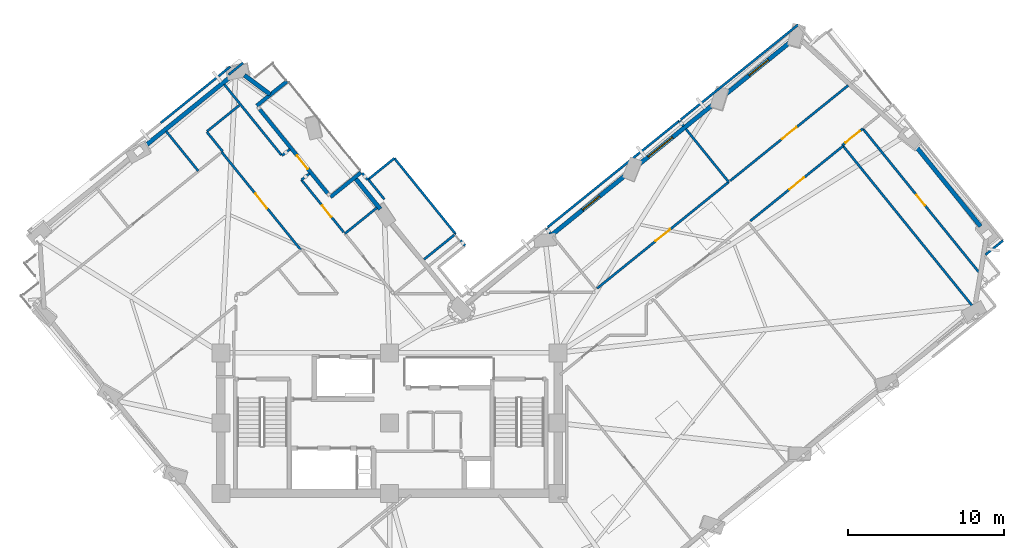
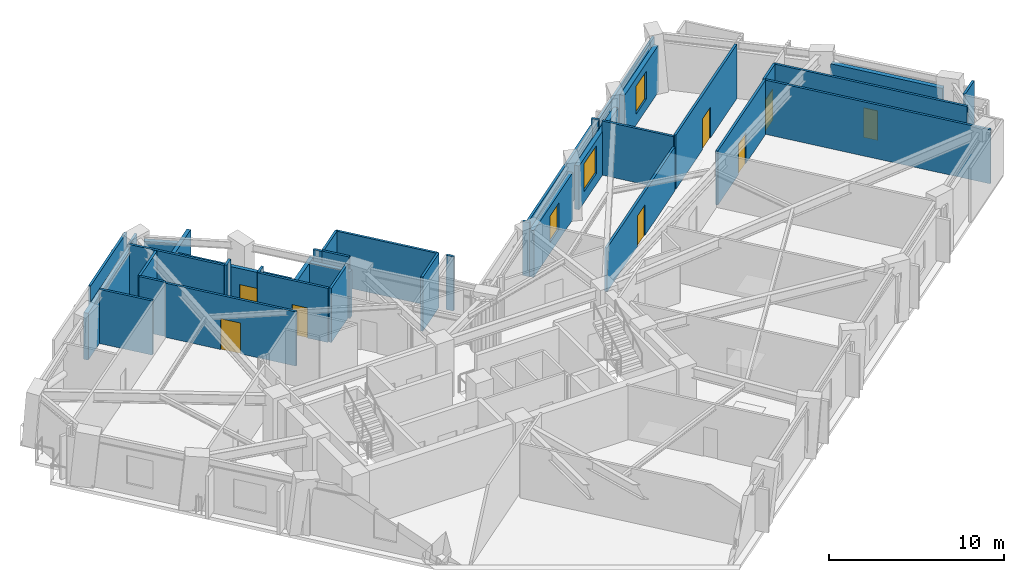
# One storey, part 8 of 14: 39 walls, 8 doors, 3 windows, 11 openings.
"""IFC4 building model written with IfcOpenShell, lengths in metres."""

from ifc_helpers import new_model, si_unit, direction, frame, frame_2d, origin, place, context, subcontext, project, spatial, rectangle, extrude, material, layer, layer_set, type_object, element, fill, save


model = new_model("IFC4")

# Units and contexts
model_context = context("Model", 3, precision=1e-05, world=origin(), true_north=direction((0.0, 1.0)))
body_context = subcontext(model_context, "Body", "Model", "MODEL_VIEW")
ifc_project = project(units=[si_unit("LENGTHUNIT", "METRE"), si_unit("AREAUNIT", "SQUARE_METRE"), si_unit("VOLUMEUNIT", "CUBIC_METRE"), si_unit("PLANEANGLEUNIT", "RADIAN"), si_unit("MASSUNIT", "GRAM", prefix="KILO")], contexts=[model_context])

# Site, building, storey
site_placement = place(None, origin())
site = spatial("IfcSite", under=ifc_project, at=site_placement, CompositionType="ELEMENT")
building_placement = place(site_placement, origin())
building = spatial("IfcBuilding", under=site, at=building_placement, Name="Gaonmaruhae Medical Tower", CompositionType="ELEMENT")
storey_placement = place(building_placement, frame((0.0, 0.0, 189.800048828125)))
storey = spatial("IfcBuildingStorey", under=building, at=storey_placement, Name="L45", CompositionType="ELEMENT", Elevation=189.800048828125)

# Wall, opening, door
ifc_material_1 = material(Name="Precast concrete C45/55", Category="concrete")
ifc_layer_1 = layer(ifc_material_1, 0.239990234375)
ifc_layer_set_1 = layer_set([ifc_layer_1], Name="Precast concrete C45/55")
wall_type_1 = type_object("IfcWallType", Name="EW-240 Ribbon & Shelter Insulated Precast Wall", PredefinedType="SOLIDWALL", material=ifc_layer_set_1)
wall_1_placement = place(storey_placement, frame((16.47265625, 32.4033203125, 0.0), z_axis=(0.0, 0.0, 1.0), x_axis=(0.628648132711, -0.777689864431, 0.0)))
wall_1 = element("IfcWall", 1, at=wall_1_placement, inside=storey, type_object=wall_type_1, Name="L45 Recessed Terrace Enclosure Wall TERB", PredefinedType="SOLIDWALL", context=body_context, shape_type="SweptSolid", body=[
    extrude(rectangle(XDim=6.960205078125, YDim=0.239990234375, at=frame_2d((3.47998046875, 0.0))), origin(), (0.0, 0.0, 1.0), 3.264892578125),
])
opening_1_placement = place(wall_1_placement, frame((3.819580078125, 0.0, 0.0)))
opening_1 = element("IfcOpeningElement", 2, at=opening_1_placement, cuts=wall_1, Name="Opening TD-01", PredefinedType="OPENING", context=body_context, shape_type="SweptSolid", body=[
    extrude(rectangle(XDim=1.10009765625, YDim=2.14990234375, at=frame_2d((0.550048828125, 1.074951171875))), frame((0.0, 0.1298828125, 0.0), z_axis=(0.0, -1.0, 0.0), x_axis=(1.0, 0.0, 0.0)), (0.0, 0.0, 1.0), 0.260009765625),
])
ifc_material_2 = material(Name="Anodised aluminium and toughened safety glass", Category="aluminium")
door_type_1 = type_object("IfcDoorType", Name="TD-01 Terrace & Sky Garden Glazed Door 1100x2150", OperationType="NOTDEFINED", PredefinedType="DOOR", material=ifc_material_2)
door_1_placement = place(opening_1_placement, origin())
door_1 = element("IfcDoor", 3, at=door_1_placement, inside=storey, type_object=door_type_1, Name="L45 Outdoor Terrace Access Door SLB-L45-TER", OperationType="SINGLE_SWING_LEFT", OverallHeight=2.14990234375, OverallWidth=1.10009765625, PredefinedType="DOOR", context=body_context, shape_type="SweptSolid", body=[
    extrude(rectangle(XDim=1.10009765625, YDim=2.14990234375, at=frame_2d((0.550048828125, 1.074951171875))), frame((0.0, 0.02490234375, 0.0), z_axis=(0.0, -1.0, 0.0), x_axis=(1.0, 0.0, 0.0)), (0.0, 0.0, 1.0), 0.050048828125),
])
fill(opening_1, door_1)

# Walls
for number, where, z_axis, x_axis, name in (
    (4, (21.024169921875, 26.772705078125, 0.0), (0.0, 0.0, 1.0), (0.777638153774, 0.628712097701, 0.0), "L45 Recessed Terrace Enclosure Wall TERL"),
    (5, (18.240966796875, 34.192626953125, 0.0), (0.0, 0.0, 1.0), (-0.777724491965, -0.628605293167, 0.0), "L45 Recessed Terrace Enclosure Wall TERR"),
):
    element("IfcWall", number, at=place(storey_placement, frame(where, z_axis=z_axis, x_axis=x_axis)), inside=storey, type_object=wall_type_1, Name=name, PredefinedType="SOLIDWALL", context=body_context, shape_type="SweptSolid", body=[
        extrude(rectangle(XDim=2.5, YDim=0.239990234375, at=frame_2d((1.25, 0.0))), origin(), (0.0, 0.0, 1.0), 3.264892578125),
    ])
ifc_layer_2 = layer(ifc_material_1, 0.280029296875)
ifc_layer_set_2 = layer_set([ifc_layer_2], Name="Precast concrete C45/55")
wall_type_2 = type_object("IfcWallType", Name="EW-280 Upper Precast Masonry-Frame Facade Wall", PredefinedType="SOLIDWALL", material=ifc_layer_set_2)
wall_2_placement = place(storey_placement, frame((58.349609375, 30.21240234375, 0.0), z_axis=(0.0, 0.0, 1.0), x_axis=(0.628622032356, -0.777710962014, 0.0)))
element("IfcWall", 6, at=wall_2_placement, inside=storey, type_object=wall_type_2, Name="L45 Precast Masonry-Frame Wall E01-E02", PredefinedType="SOLIDWALL", context=body_context, shape_type="SweptSolid", body=[
    extrude(rectangle(XDim=6.840087890625, YDim=0.280029296875, at=frame_2d((3.419921875, 0.0))), origin(), (0.0, 0.0, 1.0), 3.264892578125),
])

# Wall, opening, window
wall_3_placement = place(storey_placement, frame((46.34033203125, 33.36279296875, 0.0), z_axis=(0.0, 0.0, 1.0), x_axis=(0.777703327774, 0.628631477074, 0.0)))
wall_3 = element("IfcWall", 7, at=wall_3_placement, inside=storey, type_object=wall_type_2, Name="L45 Precast Masonry-Frame Wall E03-EN01", PredefinedType="SOLIDWALL", context=body_context, shape_type="SweptSolid", body=[
    extrude(rectangle(XDim=5.404541015625, YDim=0.280029296875, at=frame_2d((2.7021484375, 0.0))), origin(), (0.0, 0.0, 1.0), 3.264892578125),
])
opening_2_placement = place(wall_3_placement, frame((1.898193359375, 0.0, 0.75)))
opening_2 = element("IfcOpeningElement", 8, at=opening_2_placement, cuts=wall_3, Name="Opening WN-01", PredefinedType="OPENING", context=body_context, shape_type="SweptSolid", body=[
    extrude(rectangle(XDim=1.60009765625, YDim=1.949951171875, at=frame_2d((0.800048828125, 0.97509765625))), frame((0.0, 0.14990234375, 0.0), z_axis=(0.0, -1.0, 0.0), x_axis=(1.0, 0.0, 0.0)), (0.0, 0.0, 1.0), 0.300048828125),
])
ifc_material_3 = material(Name="Anodised aluminium and Low-E double glazing", Category="aluminium")
window_type_1 = type_object("IfcWindowType", Name="WN-01 Ward Punched Acoustic Window 1600x1950", PartitioningType="SINGLE_PANEL", PredefinedType="WINDOW", material=ifc_material_3)
window_1_placement = place(opening_2_placement, origin())
window_1 = element("IfcWindow", 9, at=window_1_placement, inside=storey, type_object=window_type_1, Name="L45 Modular Facade Window E03", OverallHeight=1.949951171875, OverallWidth=1.60009765625, PartitioningType="SINGLE_PANEL", PredefinedType="WINDOW", context=body_context, shape_type="SweptSolid", body=[
    extrude(rectangle(XDim=1.60009765625, YDim=1.949951171875, at=frame_2d((0.800048828125, 0.97509765625))), frame((0.0, 0.030029296875, 0.0), z_axis=(0.0, -1.0, 0.0), x_axis=(1.0, 0.0, 0.0)), (0.0, 0.0, 1.0), 0.06005859375),
])
fill(opening_2, window_1)

wall_4_placement = place(storey_placement, frame((40.750244140625, 28.843994140625, 0.0), z_axis=(0.0, 0.0, 1.0), x_axis=(0.777687534284, 0.628651015286, 0.0)))
wall_4 = element("IfcWall", 10, at=wall_4_placement, inside=storey, type_object=wall_type_2, Name="L45 Precast Masonry-Frame Wall EN01-EN02", PredefinedType="SOLIDWALL", context=body_context, shape_type="SweptSolid", body=[
    extrude(rectangle(XDim=6.2265625, YDim=0.280029296875, at=frame_2d((3.11328125, 0.0))), origin(), (0.0, 0.0, 1.0), 3.06494140625),
])
opening_3_placement = place(wall_4_placement, frame((0.79052734375, 0.0, 0.75)))
opening_3 = element("IfcOpeningElement", 11, at=opening_3_placement, cuts=wall_4, Name="Opening WN-02", PredefinedType="OPENING", context=body_context, shape_type="SweptSolid", body=[
    extrude(rectangle(XDim=2.0, YDim=1.949951171875, at=frame_2d((1.0, 0.97509765625))), frame((0.0, 0.14990234375, 0.0), z_axis=(0.0, -1.0, 0.0), x_axis=(1.0, 0.0, 0.0)), (0.0, 0.0, 1.0), 0.300048828125),
])
window_type_2 = type_object("IfcWindowType", Name="WN-02 Double-Bed Ward Punched Window 2000x1950", PartitioningType="SINGLE_PANEL", PredefinedType="WINDOW", material=ifc_material_3)
window_2_placement = place(opening_3_placement, origin())
window_2 = element("IfcWindow", 12, at=window_2_placement, inside=storey, type_object=window_type_2, Name="L45 Modular Facade Window EN01", OverallHeight=1.949951171875, OverallWidth=2.0, PartitioningType="SINGLE_PANEL", PredefinedType="WINDOW", context=body_context, shape_type="SweptSolid", body=[
    extrude(rectangle(XDim=2.0, YDim=1.949951171875, at=frame_2d((1.0, 0.97509765625))), frame((0.0, 0.030029296875, 0.0), z_axis=(0.0, -1.0, 0.0), x_axis=(1.0, 0.0, 0.0)), (0.0, 0.0, 1.0), 0.06005859375),
])
fill(opening_3, window_2)

wall_5_placement = place(storey_placement, frame((35.154296875, 24.320556640625, 0.0), z_axis=(0.0, 0.0, 1.0), x_axis=(0.7776950364, 0.628641734503, 0.0)))
wall_5 = element("IfcWall", 13, at=wall_5_placement, inside=storey, type_object=wall_type_2, Name="L45 Precast Masonry-Frame Wall EN02-EN03", PredefinedType="SOLIDWALL", context=body_context, shape_type="SweptSolid", body=[
    extrude(rectangle(XDim=6.211181640625, YDim=0.280029296875, at=frame_2d((3.10546875, 0.0))), origin(), (0.0, 0.0, 1.0), 3.264892578125),
])
opening_4_placement = place(wall_5_placement, frame((2.587890625, 0.0, 0.75)))
opening_4 = element("IfcOpeningElement", 14, at=opening_4_placement, cuts=wall_5, Name="Opening WN-03", PredefinedType="OPENING", context=body_context, shape_type="SweptSolid", body=[
    extrude(rectangle(XDim=1.39990234375, YDim=1.85009765625, at=frame_2d((0.699951171875, 0.925048828125))), frame((0.0, 0.14990234375, 0.0), z_axis=(0.0, -1.0, 0.0), x_axis=(1.0, 0.0, 0.0)), (0.0, 0.0, 1.0), 0.300048828125),
])
window_type_3 = type_object("IfcWindowType", Name="WN-03 Isolation Ward Punched Window 1400x1850", PartitioningType="SINGLE_PANEL", PredefinedType="WINDOW", material=ifc_material_3)
window_3_placement = place(opening_4_placement, origin())
window_3 = element("IfcWindow", 15, at=window_3_placement, inside=storey, type_object=window_type_3, Name="L45 Modular Facade Window EN02", OverallHeight=1.85009765625, OverallWidth=1.39990234375, PartitioningType="SINGLE_PANEL", PredefinedType="WINDOW", context=body_context, shape_type="SweptSolid", body=[
    extrude(rectangle(XDim=1.39990234375, YDim=1.85009765625, at=frame_2d((0.699951171875, 0.925048828125))), frame((0.0, 0.030029296875, 0.0), z_axis=(0.0, -1.0, 0.0), x_axis=(1.0, 0.0, 0.0)), (0.0, 0.0, 1.0), 0.06005859375),
])
fill(opening_4, window_3)

# Walls
wall_6_placement = place(storey_placement, frame((24.20703125, 26.000732421875, 0.0), z_axis=(0.0, 0.0, 1.0), x_axis=(-0.628643052837, 0.777693970736, 0.0)))
element("IfcWall", 16, at=wall_6_placement, inside=storey, type_object=wall_type_2, Name="L45 Precast Masonry-Frame Wall NE01-NE02", PredefinedType="SOLIDWALL", context=body_context, shape_type="SweptSolid", body=[
    extrude(rectangle(XDim=2.58154296875, YDim=0.280029296875, at=frame_2d((1.290771484375, 0.0))), origin(), (0.0, 0.0, 1.0), 3.244873046875),
])
wall_7_placement = place(storey_placement, frame((15.506591796875, 34.572265625, 0.0), z_axis=(0.0, 0.0, 1.0), x_axis=(0.802058823744, -0.597245044562, 0.0)))
element("IfcWall", 17, at=wall_7_placement, inside=storey, type_object=wall_type_2, Name="L45 Precast Masonry-Frame Wall NE02-N01", PredefinedType="SOLIDWALL", context=body_context, shape_type="SweptSolid", body=[
    extrude(rectangle(XDim=2.05859375, YDim=0.280029296875, at=frame_2d((1.029296875, 0.0))), origin(), (0.0, 0.0, 1.0), 3.244873046875),
])
wall_8_placement = place(storey_placement, frame((8.98193359375, 29.91015625, 0.0), z_axis=(0.0, 0.0, 1.0), x_axis=(0.777703078479, 0.628631785487, 0.0)))
element("IfcWall", 18, at=wall_8_placement, inside=storey, type_object=wall_type_2, Name="L45 Precast Masonry-Frame Wall N01-N02", PredefinedType="SOLIDWALL", context=body_context, shape_type="SweptSolid", body=[
    extrude(rectangle(XDim=7.230712890625, YDim=0.280029296875, at=frame_2d((3.615234375, 0.0))), origin(), (0.0, 0.0, 1.0), 3.264892578125),
])

# Wall, opening, door
ifc_material_4 = material(Name="Gypsum board partition", Category="gypsum")
ifc_layer_3 = layer(ifc_material_4, 0.14990234375)
ifc_layer_set_3 = layer_set([ifc_layer_3], Name="Gypsum board partition")
wall_type_3 = type_object("IfcWallType", Name="PW-150 Rated Clinical Corridor Partition", PredefinedType="PARTITIONING", material=ifc_layer_set_3)
wall_9_placement = place(storey_placement, frame((47.903076171875, 25.239013671875, 0.0), z_axis=(0.0, 0.0, 1.0), x_axis=(0.777700823306, 0.628634575433, 0.0)))
wall_9 = element("IfcWall", 19, at=wall_9_placement, inside=storey, type_object=wall_type_3, Name="L45 Interior Partition L45-SUP06-25", PredefinedType="PARTITIONING", context=body_context, shape_type="SweptSolid", body=[
    extrude(rectangle(XDim=7.640380859375, YDim=0.14990234375, at=frame_2d((3.8203125, 0.0))), origin(), (0.0, 0.0, 1.0), 3.780029296875),
])
opening_5_placement = place(wall_9_placement, frame((3.22021484375, 0.0, 0.0)))
opening_5 = element("IfcOpeningElement", 20, at=opening_5_placement, cuts=wall_9, Name="Opening CD-02", PredefinedType="OPENING", context=body_context, shape_type="SweptSolid", body=[
    extrude(rectangle(XDim=1.199951171875, YDim=2.14990234375, at=frame_2d((0.60009765625, 1.074951171875))), frame((0.0, 0.0849609375, 0.0), z_axis=(0.0, -1.0, 0.0), x_axis=(1.0, 0.0, 0.0)), (0.0, 0.0, 1.0), 0.169921875),
])
ifc_material_5 = material(Name="Antimicrobial laminate timber fire door", Category="wood")
door_type_2 = type_object("IfcDoorType", Name="CD-02 Clinical Treatment & Procedure Door 1200x2150", OperationType="NOTDEFINED", PredefinedType="DOOR", material=ifc_material_5)
door_2_placement = place(opening_5_placement, origin())
door_2 = element("IfcDoor", 21, at=door_2_placement, inside=storey, type_object=door_type_2, Name="L45 Clinical Biomedical Charting Office Door", OperationType="SINGLE_SWING_LEFT", OverallHeight=2.14990234375, OverallWidth=1.199951171875, PredefinedType="DOOR", context=body_context, shape_type="SweptSolid", body=[
    extrude(rectangle(XDim=1.199951171875, YDim=2.14990234375, at=frame_2d((0.60009765625, 1.074951171875))), frame((0.0, 0.02490234375, 0.0), z_axis=(0.0, -1.0, 0.0), x_axis=(1.0, 0.0, 0.0)), (0.0, 0.0, 1.0), 0.050048828125),
])
fill(opening_5, door_2)

# Wall
wall_10_placement = place(storey_placement, frame((53.844970703125, 30.0419921875, 0.0), z_axis=(0.0, 0.0, 1.0), x_axis=(0.628663319938, -0.777677587541, 0.0)))
element("IfcWall", 22, at=wall_10_placement, inside=storey, type_object=wall_type_3, Name="L45 Interior Partition L45-SUP06-26", PredefinedType="PARTITIONING", context=body_context, shape_type="SweptSolid", body=[
    extrude(rectangle(XDim=13.82958984375, YDim=0.14990234375, at=frame_2d((6.914794921875, 0.0))), origin(), (0.0, 0.0, 1.0), 3.780029296875),
])

# Wall, opening, door
wall_11_placement = place(storey_placement, frame((14.06103515625, 29.64404296875, 0.0), z_axis=(0.0, 0.0, 1.0), x_axis=(0.628674878408, -0.777668243699, 0.0)))
wall_11 = element("IfcWall", 23, at=wall_11_placement, inside=storey, type_object=wall_type_3, Name="L45 Interior Partition L45-WOF09-43", PredefinedType="PARTITIONING", context=body_context, shape_type="SweptSolid", body=[
    extrude(rectangle(XDim=8.04052734375, YDim=0.14990234375, at=frame_2d((4.020263671875, 0.0))), origin(), (0.0, 0.0, 1.0), 3.780029296875),
])
opening_6_placement = place(wall_11_placement, frame((3.42041015625, 0.0, 0.0)))
opening_6 = element("IfcOpeningElement", 24, at=opening_6_placement, cuts=wall_11, Name="Opening CD-02", PredefinedType="OPENING", context=body_context, shape_type="SweptSolid", body=[
    extrude(rectangle(XDim=1.199951171875, YDim=2.14990234375, at=frame_2d((0.60009765625, 1.074951171875))), frame((0.0, 0.0849609375, 0.0), z_axis=(0.0, -1.0, 0.0), x_axis=(1.0, 0.0, 0.0)), (0.0, 0.0, 1.0), 0.169921875),
])
door_3_placement = place(opening_6_placement, origin())
door_3 = element("IfcDoor", 25, at=door_3_placement, inside=storey, type_object=door_type_2, Name="L45 Ward Physician Reporting Office Door", OperationType="SINGLE_SWING_RIGHT", OverallHeight=2.14990234375, OverallWidth=1.199951171875, PredefinedType="DOOR", context=body_context, shape_type="SweptSolid", body=[
    extrude(rectangle(XDim=1.199951171875, YDim=2.14990234375, at=frame_2d((0.60009765625, 1.074951171875))), frame((0.0, 0.02490234375, 0.0), z_axis=(0.0, -1.0, 0.0), x_axis=(1.0, 0.0, 0.0)), (0.0, 0.0, 1.0), 0.050048828125),
])
fill(opening_6, door_3)

# Walls
wall_12_placement = place(storey_placement, frame((34.8369140625, 24.77099609375, 0.0), z_axis=(0.0, 0.0, 1.0), x_axis=(0.628729378475, -0.777624182136, 0.0)))
element("IfcWall", 26, at=wall_12_placement, inside=storey, type_object=wall_type_3, Name="L45 Interior Partition L45-IE01-48", PredefinedType="PARTITIONING", context=body_context, shape_type="SweptSolid", body=[
    extrude(rectangle(XDim=0.4345703125, YDim=0.14990234375, at=frame_2d((0.21728515625, 0.0))), origin(), (0.0, 0.0, 1.0), 3.780029296875),
])
wall_13_placement = place(storey_placement, frame((29.35595703125, 24.0048828125, 0.0), z_axis=(0.0, 0.0, 1.0), x_axis=(0.628854778526, -0.77752277621, 0.0)))
element("IfcWall", 27, at=wall_13_placement, inside=storey, type_object=wall_type_3, Name="L45 Interior Partition L45-IE01-62", PredefinedType="PARTITIONING", context=body_context, shape_type="SweptSolid", body=[
    extrude(rectangle(XDim=0.449951171875, YDim=0.14990234375, at=frame_2d((0.22509765625, 0.0))), origin(), (0.0, 0.0, 1.0), 3.780029296875),
])

# Wall, opening, door
wall_14_placement = place(storey_placement, frame((46.52001953125, 27.73388671875, 0.0), z_axis=(0.0, 0.0, 1.0), x_axis=(-0.777697805965, -0.628638308248, 0.0)))
wall_14 = element("IfcWall", 28, at=wall_14_placement, inside=storey, type_object=wall_type_3, Name="L45 Interior Partition L45-IE02-64", PredefinedType="PARTITIONING", context=body_context, shape_type="SweptSolid", body=[
    extrude(rectangle(XDim=10.827880859375, YDim=0.14990234375, at=frame_2d((5.4140625, 0.0))), origin(), (0.0, 0.0, 1.0), 3.06494140625),
])
opening_7_placement = place(wall_14_placement, frame((4.814208984375, 0.0, 0.0)))
opening_7 = element("IfcOpeningElement", 29, at=opening_7_placement, cuts=wall_14, Name="Opening CD-02", PredefinedType="OPENING", context=body_context, shape_type="SweptSolid", body=[
    extrude(rectangle(XDim=1.199951171875, YDim=2.14990234375, at=frame_2d((0.60009765625, 1.074951171875))), frame((0.0, 0.0849609375, 0.0), z_axis=(0.0, -1.0, 0.0), x_axis=(1.0, 0.0, 0.0)), (0.0, 0.0, 1.0), 0.169921875),
])
door_4_placement = place(opening_7_placement, origin())
door_4 = element("IfcDoor", 30, at=door_4_placement, inside=storey, type_object=door_type_2, Name="L45 Acute Treatment Examination Room Door", OperationType="SINGLE_SWING_RIGHT", OverallHeight=2.14990234375, OverallWidth=1.199951171875, PredefinedType="DOOR", context=body_context, shape_type="SweptSolid", body=[
    extrude(rectangle(XDim=1.199951171875, YDim=2.14990234375, at=frame_2d((0.60009765625, 1.074951171875))), frame((0.0, 0.02490234375, 0.0), z_axis=(0.0, -1.0, 0.0), x_axis=(1.0, 0.0, 0.0)), (0.0, 0.0, 1.0), 0.050048828125),
])
fill(opening_7, door_4)

# Walls
wall_15_placement = place(storey_placement, frame((34.929931640625, 24.846923828125, 0.0), z_axis=(0.0, 0.0, 1.0), x_axis=(0.777695693254, 0.628640921906, 0.0)))
element("IfcWall", 31, at=wall_15_placement, inside=storey, type_object=wall_type_3, Name="L45 Interior Partition L45-IE02-65", PredefinedType="PARTITIONING", context=body_context, shape_type="SweptSolid", body=[
    extrude(rectangle(XDim=10.828369140625, YDim=0.14990234375, at=frame_2d((5.4140625, 0.0))), origin(), (0.0, 0.0, 1.0), 3.264892578125),
])
wall_16_placement = place(storey_placement, frame((43.35107421875, 31.654052734375, 0.0), z_axis=(0.0, 0.0, 1.0), x_axis=(0.628376214537, -0.777909591793, 0.0)))
element("IfcWall", 32, at=wall_16_placement, inside=storey, type_object=wall_type_3, Name="L45 Interior Partition L45-IE02-66", PredefinedType="PARTITIONING", context=body_context, shape_type="SweptSolid", body=[
    extrude(rectangle(XDim=0.43603515625, YDim=0.14990234375, at=frame_2d((0.218017578125, 0.0))), origin(), (0.0, 0.0, 1.0), 3.780029296875),
])
wall_17_placement = place(storey_placement, frame((43.76904296875, 31.136962890625, 0.0), z_axis=(0.0, 0.0, 1.0), x_axis=(0.62866041467, -0.777679936109, 0.0)))
element("IfcWall", 33, at=wall_17_placement, inside=storey, type_object=wall_type_3, Name="L45 Interior Partition L45-IE02-67", PredefinedType="PARTITIONING", context=body_context, shape_type="SweptSolid", body=[
    extrude(rectangle(XDim=4.3759765625, YDim=0.14990234375, at=frame_2d((2.18798828125, 0.0))), origin(), (0.0, 0.0, 1.0), 3.780029296875),
])

# Wall, opening, door
wall_18_placement = place(storey_placement, frame((54.1689453125, 33.9169921875, 0.0), z_axis=(0.0, 0.0, 1.0), x_axis=(-0.777735624906, -0.628591518995, 0.0)))
wall_18 = element("IfcWall", 34, at=wall_18_placement, inside=storey, type_object=wall_type_3, Name="L45 Interior Partition L45-IE03-71", PredefinedType="PARTITIONING", context=body_context, shape_type="SweptSolid", body=[
    extrude(rectangle(XDim=9.71533203125, YDim=0.14990234375, at=frame_2d((4.857666015625, 0.0))), origin(), (0.0, 0.0, 1.0), 3.780029296875),
])
opening_8_placement = place(wall_18_placement, frame((4.2578125, 0.0, 0.0)))
opening_8 = element("IfcOpeningElement", 35, at=opening_8_placement, cuts=wall_18, Name="Opening CD-02", PredefinedType="OPENING", context=body_context, shape_type="SweptSolid", body=[
    extrude(rectangle(XDim=1.199951171875, YDim=2.14990234375, at=frame_2d((0.60009765625, 1.074951171875))), frame((0.0, 0.0849609375, 0.0), z_axis=(0.0, -1.0, 0.0), x_axis=(1.0, 0.0, 0.0)), (0.0, 0.0, 1.0), 0.169921875),
])
door_5_placement = place(opening_8_placement, origin())
door_5 = element("IfcDoor", 36, at=door_5_placement, inside=storey, type_object=door_type_2, Name="L45 Clean Medication Preparation Room Door", OperationType="SINGLE_SWING_RIGHT", OverallHeight=2.14990234375, OverallWidth=1.199951171875, PredefinedType="DOOR", context=body_context, shape_type="SweptSolid", body=[
    extrude(rectangle(XDim=1.199951171875, YDim=2.14990234375, at=frame_2d((0.60009765625, 1.074951171875))), frame((0.0, 0.02490234375, 0.0), z_axis=(0.0, -1.0, 0.0), x_axis=(1.0, 0.0, 0.0)), (0.0, 0.0, 1.0), 0.050048828125),
])
fill(opening_8, door_5)

# Walls
wall_19_placement = place(storey_placement, frame((43.445068359375, 31.72900390625, 0.0), z_axis=(0.0, 0.0, 1.0), x_axis=(0.777689532668, 0.628648543129, 0.0)))
element("IfcWall", 37, at=wall_19_placement, inside=storey, type_object=wall_type_3, Name="L45 Interior Partition L45-IE03-72", PredefinedType="PARTITIONING", context=body_context, shape_type="SweptSolid", body=[
    extrude(rectangle(XDim=9.6875, YDim=0.14990234375, at=frame_2d((4.84375, 0.0))), origin(), (0.0, 0.0, 1.0), 3.06494140625),
])
wall_20_placement = place(storey_placement, frame((21.94189453125, 24.428955078125, 0.0), z_axis=(0.0, 0.0, 1.0), x_axis=(0.777758218132, 0.628563564111, 0.0)))
element("IfcWall", 38, at=wall_20_placement, inside=storey, type_object=wall_type_3, Name="L45 Interior Partition L45-IN01-74", PredefinedType="PARTITIONING", context=body_context, shape_type="SweptSolid", body=[
    extrude(rectangle(XDim=2.634521484375, YDim=0.14990234375, at=frame_2d((1.3173828125, 0.0))), origin(), (0.0, 0.0, 1.0), 3.780029296875),
])
wall_21_placement = place(storey_placement, frame((23.44091796875, 27.903076171875, 0.0), z_axis=(0.0, 0.0, 1.0), x_axis=(0.628735558249, -0.777619185587, 0.0)))
element("IfcWall", 39, at=wall_21_placement, inside=storey, type_object=wall_type_3, Name="L45 Interior Partition L45-IN02-78", PredefinedType="PARTITIONING", context=body_context, shape_type="SweptSolid", body=[
    extrude(rectangle(XDim=1.639892578125, YDim=0.14990234375, at=frame_2d((0.81982421875, 0.0))), origin(), (0.0, 0.0, 1.0), 3.780029296875),
])

# Wall, opening, door
wall_22_placement = place(storey_placement, frame((21.865966796875, 24.52197265625, 0.0), z_axis=(0.0, 0.0, 1.0), x_axis=(-0.628613292598, 0.777718026259, 0.0)))
wall_22 = element("IfcWall", 40, at=wall_22_placement, inside=storey, type_object=wall_type_3, Name="L45 Interior Partition L45-IN02-79", PredefinedType="PARTITIONING", context=body_context, shape_type="SweptSolid", body=[
    extrude(rectangle(XDim=4.2998046875, YDim=0.14990234375, at=frame_2d((2.14990234375, 0.0))), origin(), (0.0, 0.0, 1.0), 3.780029296875),
])
opening_9_placement = place(wall_22_placement, frame((1.266845703125, 0.0, 0.0)))
opening_9 = element("IfcOpeningElement", 41, at=opening_9_placement, cuts=wall_22, Name="Opening UD-01", PredefinedType="OPENING", context=body_context, shape_type="SweptSolid", body=[
    extrude(rectangle(XDim=0.919921875, YDim=2.10009765625, at=frame_2d((0.4599609375, 1.050048828125))), frame((0.0, 0.0849609375, 0.0), z_axis=(0.0, -1.0, 0.0), x_axis=(1.0, 0.0, 0.0)), (0.0, 0.0, 1.0), 0.169921875),
])
ifc_material_6 = material(Name="Powder-coated steel utility door", Category="steel")
door_type_3 = type_object("IfcDoorType", Name="UD-01 Toilet, Utility & Housekeeping Door 920x2100", OperationType="NOTDEFINED", PredefinedType="DOOR", material=ifc_material_6)
door_6_placement = place(opening_9_placement, origin())
door_6 = element("IfcDoor", 42, at=door_6_placement, inside=storey, type_object=door_type_3, Name="L45 Ward Nutrition Pantry Door", OperationType="SINGLE_SWING_LEFT", OverallHeight=2.10009765625, OverallWidth=0.919921875, PredefinedType="DOOR", context=body_context, shape_type="SweptSolid", body=[
    extrude(rectangle(XDim=0.919921875, YDim=2.10009765625, at=frame_2d((0.4599609375, 1.050048828125))), frame((0.0, 0.02490234375, 0.0), z_axis=(0.0, -1.0, 0.0), x_axis=(1.0, 0.0, 0.0)), (0.0, 0.0, 1.0), 0.050048828125),
])
fill(opening_9, door_6)

# Walls
wall_23_placement = place(storey_placement, frame((19.1630859375, 27.865966796875, 0.0), z_axis=(0.0, 0.0, 1.0), x_axis=(0.777561248939, 0.628807207456, 0.0)))
element("IfcWall", 43, at=wall_23_placement, inside=storey, type_object=wall_type_3, Name="L45 Interior Partition L45-IN02-80", PredefinedType="PARTITIONING", context=body_context, shape_type="SweptSolid", body=[
    extrude(rectangle(XDim=0.664794921875, YDim=0.14990234375, at=frame_2d((0.33251953125, 0.0))), origin(), (0.0, 0.0, 1.0), 3.780029296875),
])
wall_24_placement = place(storey_placement, frame((23.053955078125, 28.302978515625, 0.0), z_axis=(0.0, 0.0, 1.0), x_axis=(0.628449940724, -0.777850031821, 0.0)))
element("IfcWall", 44, at=wall_24_placement, inside=storey, type_object=wall_type_3, Name="L45 Interior Partition L45-IN02-81", PredefinedType="PARTITIONING", context=body_context, shape_type="SweptSolid", body=[
    extrude(rectangle(XDim=0.553955078125, YDim=0.14990234375, at=frame_2d((0.27685546875, 0.0))), origin(), (0.0, 0.0, 1.0), 3.780029296875),
])
wall_25_placement = place(storey_placement, frame((18.423095703125, 29.839111328125, 0.0), z_axis=(0.0, 0.0, 1.0), x_axis=(-0.77752690972, -0.628849667776, 0.0)))
element("IfcWall", 45, at=wall_25_placement, inside=storey, type_object=wall_type_3, Name="L45 Interior Partition L45-IN03-83", PredefinedType="PARTITIONING", context=body_context, shape_type="SweptSolid", body=[
    extrude(rectangle(XDim=0.6650390625, YDim=0.14990234375, at=frame_2d((0.33251953125, 0.0))), origin(), (0.0, 0.0, 1.0), 3.780029296875),
])
wall_26_placement = place(storey_placement, frame((17.875, 29.4599609375, 0.0), z_axis=(0.0, 0.0, 1.0), x_axis=(-0.628591661505, 0.777735509725, 0.0)))
element("IfcWall", 46, at=wall_26_placement, inside=storey, type_object=wall_type_3, Name="L45 Interior Partition L45-IN03-84", PredefinedType="PARTITIONING", context=body_context, shape_type="SweptSolid", body=[
    extrude(rectangle(XDim=5.825927734375, YDim=0.14990234375, at=frame_2d((2.9130859375, 0.0))), origin(), (0.0, 0.0, 1.0), 3.780029296875),
])
wall_27_placement = place(storey_placement, frame((14.486083984375, 34.60302734375, 0.0), z_axis=(0.0, 0.0, 1.0), x_axis=(0.777608900867, 0.628748278163, 0.0)))
element("IfcWall", 47, at=wall_27_placement, inside=storey, type_object=wall_type_3, Name="L45 Interior Partition L45-IN03-85", PredefinedType="PARTITIONING", context=body_context, shape_type="SweptSolid", body=[
    extrude(rectangle(XDim=1.2021484375, YDim=0.14990234375, at=frame_2d((0.60107421875, 0.0))), origin(), (0.0, 0.0, 1.0), 3.264892578125),
])
wall_28_placement = place(storey_placement, frame((10.4951171875, 30.985107421875, 0.0), z_axis=(0.0, 0.0, 1.0), x_axis=(0.62874427533, -0.777612137405, 0.0)))
element("IfcWall", 48, at=wall_28_placement, inside=storey, type_object=wall_type_3, Name="L45 Interior Partition L45-RM02-89", PredefinedType="PARTITIONING", context=body_context, shape_type="SweptSolid", body=[
    extrude(rectangle(XDim=3.26513671875, YDim=0.14990234375, at=frame_2d((1.632568359375, 0.0))), origin(), (0.0, 0.0, 1.0), 3.780029296875),
])
wall_29_placement = place(storey_placement, frame((15.175048828125, 32.639892578125, 0.0), z_axis=(0.0, 0.0, 1.0), x_axis=(-0.777920390607, -0.628362845718, 0.0)))
element("IfcWall", 49, at=wall_29_placement, inside=storey, type_object=wall_type_3, Name="L45 Interior Partition L45-RM03-91", PredefinedType="PARTITIONING", context=body_context, shape_type="SweptSolid", body=[
    extrude(rectangle(XDim=2.6494140625, YDim=0.14990234375, at=frame_2d((1.32470703125, 0.0))), origin(), (0.0, 0.0, 1.0), 3.780029296875),
])
wall_30_placement = place(storey_placement, frame((13.10693359375, 30.93701171875, 0.0), z_axis=(0.0, 0.0, 1.0), x_axis=(0.628712363402, -0.777637938957, 0.0)))
element("IfcWall", 50, at=wall_30_placement, inside=storey, type_object=wall_type_3, Name="L45 Interior Partition L45-RM03-92", PredefinedType="PARTITIONING", context=body_context, shape_type="SweptSolid", body=[
    extrude(rectangle(XDim=1.60498046875, YDim=0.14990234375, at=frame_2d((0.802490234375, 0.0))), origin(), (0.0, 0.0, 1.0), 3.780029296875),
])
wall_31_placement = place(storey_placement, frame((10.14306640625, 31.51708984375, 0.0), z_axis=(0.0, 0.0, 1.0), x_axis=(0.777730017108, 0.628598457275, 0.0)))
element("IfcWall", 51, at=wall_31_placement, inside=storey, type_object=wall_type_3, Name="L45 Interior Partition L45-RM03-96", PredefinedType="PARTITIONING", context=body_context, shape_type="SweptSolid", body=[
    extrude(rectangle(XDim=5.739501953125, YDim=0.14990234375, at=frame_2d((2.86962890625, 0.0))), origin(), (0.0, 0.0, 1.0), 3.780029296875),
])
wall_32_placement = place(storey_placement, frame((25.113037109375, 29.2548828125, 0.0), z_axis=(0.0, 0.0, 1.0), x_axis=(0.628606171211, -0.777723782275, 0.0)))
element("IfcWall", 52, at=wall_32_placement, inside=storey, type_object=wall_type_3, Name="L45 Interior Partition L45-RM04-97", PredefinedType="PARTITIONING", context=body_context, shape_type="SweptSolid", body=[
    extrude(rectangle(XDim=6.229736328125, YDim=0.14990234375, at=frame_2d((3.11474609375, 0.0))), origin(), (0.0, 0.0, 1.0), 3.780029296875),
])
wall_33_placement = place(storey_placement, frame((29.029052734375, 24.409912109375, 0.0), z_axis=(0.0, 0.0, 1.0), x_axis=(-0.777732003351, -0.628595999799, 0.0)))
element("IfcWall", 53, at=wall_33_placement, inside=storey, type_object=wall_type_3, Name="L45 Interior Partition L45-RM04-98", PredefinedType="PARTITIONING", context=body_context, shape_type="SweptSolid", body=[
    extrude(rectangle(XDim=2.58984375, YDim=0.14990234375, at=frame_2d((1.294921875, 0.0))), origin(), (0.0, 0.0, 1.0), 3.780029296875),
])
wall_34_placement = place(storey_placement, frame((23.4560546875, 27.916015625, 0.0), z_axis=(0.0, 0.0, 1.0), x_axis=(0.777818353199, 0.628489148217, 0.0)))
element("IfcWall", 54, at=wall_34_placement, inside=storey, type_object=wall_type_3, Name="L45 Interior Partition L45-RM04-99", PredefinedType="PARTITIONING", context=body_context, shape_type="SweptSolid", body=[
    extrude(rectangle(XDim=2.13037109375, YDim=0.14990234375, at=frame_2d((1.065185546875, 0.0))), origin(), (0.0, 0.0, 1.0), 3.780029296875),
])

# Wall, opening, door
wall_35_placement = place(storey_placement, frame((53.801025390625, 30.095947265625, 0.0), z_axis=(0.0, 0.0, 1.0), x_axis=(0.7774849622, 0.628901529297, 0.0)))
wall_35 = element("IfcWall", 55, at=wall_35_placement, inside=storey, type_object=wall_type_3, Name="L45 Interior Partition L45-RM05-103", PredefinedType="PARTITIONING", context=body_context, shape_type="SweptSolid", body=[
    extrude(rectangle(XDim=1.680908203125, YDim=0.14990234375, at=frame_2d((0.84033203125, 0.0))), origin(), (0.0, 0.0, 1.0), 3.780029296875),
])
opening_10_placement = place(wall_35_placement, frame((0.240478515625, 0.0, 0.0)))
opening_10 = element("IfcOpeningElement", 56, at=opening_10_placement, cuts=wall_35, Name="Opening CD-02", PredefinedType="OPENING", context=body_context, shape_type="SweptSolid", body=[
    extrude(rectangle(XDim=1.199951171875, YDim=2.14990234375, at=frame_2d((0.60009765625, 1.074951171875))), frame((0.0, 0.0849609375, 0.0), z_axis=(0.0, -1.0, 0.0), x_axis=(1.0, 0.0, 0.0)), (0.0, 0.0, 1.0), 0.169921875),
])
door_7_placement = place(opening_10_placement, origin())
door_7 = element("IfcDoor", 57, at=door_7_placement, inside=storey, type_object=door_type_2, Name="L45 Clinical Case Review Office Door", OperationType="SINGLE_SWING_LEFT", OverallHeight=2.14990234375, OverallWidth=1.199951171875, PredefinedType="DOOR", context=body_context, shape_type="SweptSolid", body=[
    extrude(rectangle(XDim=1.199951171875, YDim=2.14990234375, at=frame_2d((0.60009765625, 1.074951171875))), frame((0.0, 0.02490234375, 0.0), z_axis=(0.0, -1.0, 0.0), x_axis=(1.0, 0.0, 0.0)), (0.0, 0.0, 1.0), 0.050048828125),
])
fill(opening_10, door_7)

wall_36_placement = place(storey_placement, frame((55.10791015625, 31.153076171875, 0.0), z_axis=(0.0, 0.0, 1.0), x_axis=(0.628641365164, -0.777695334951, 0.0)))
wall_36 = element("IfcWall", 58, at=wall_36_placement, inside=storey, type_object=wall_type_3, Name="L45 Interior Partition L45-RM05-104", PredefinedType="PARTITIONING", context=body_context, shape_type="SweptSolid", body=[
    extrude(rectangle(XDim=11.821044921875, YDim=0.14990234375, at=frame_2d((5.91064453125, 0.0))), origin(), (0.0, 0.0, 1.0), 3.780029296875),
])
opening_11_placement = place(wall_36_placement, frame((5.48046875, 0.0, 0.0)))
opening_11 = element("IfcOpeningElement", 59, at=opening_11_placement, cuts=wall_36, Name="Opening AD-01", PredefinedType="OPENING", context=body_context, shape_type="SweptSolid", body=[
    extrude(rectangle(XDim=0.860107421875, YDim=2.06005859375, at=frame_2d((0.43017578125, 1.030029296875))), frame((0.0, 0.0849609375, 0.0), z_axis=(0.0, -1.0, 0.0), x_axis=(1.0, 0.0, 0.0)), (0.0, 0.0, 1.0), 0.169921875),
])
ifc_material_7 = material(Name="Powder-coated steel access door", Category="steel")
door_type_4 = type_object("IfcDoorType", Name="AD-01 Riser & Closet Access Fire Door 860x2060", OperationType="NOTDEFINED", PredefinedType="DOOR", material=ifc_material_7)
door_8_placement = place(opening_11_placement, origin())
door_8 = element("IfcDoor", 60, at=door_8_placement, inside=storey, type_object=door_type_4, Name="L45 Care Team Clinical Charting Office Sliding Door", OperationType="SLIDING_TO_LEFT", OverallHeight=2.06005859375, OverallWidth=0.860107421875, PredefinedType="DOOR", context=body_context, shape_type="SweptSolid", body=[
    extrude(rectangle(XDim=0.860107421875, YDim=2.06005859375, at=frame_2d((0.43017578125, 1.030029296875))), frame((0.0, 0.02490234375, 0.0), z_axis=(0.0, -1.0, 0.0), x_axis=(1.0, 0.0, 0.0)), (0.0, 0.0, 1.0), 0.050048828125),
])
fill(opening_11, door_8)

# Wall
wall_37_placement = place(storey_placement, frame((64.090087890625, 23.986083984375, 0.0), z_axis=(0.0, 0.0, 1.0), x_axis=(-0.77784323693, -0.628458350857, 0.0)))
element("IfcWall", 61, at=wall_37_placement, inside=storey, type_object=wall_type_3, Name="L45 Interior Partition L45-RM06-111", PredefinedType="PARTITIONING", context=body_context, shape_type="SweptSolid", body=[
    extrude(rectangle(XDim=1.452880859375, YDim=0.14990234375, at=frame_2d((0.7265625, 0.0))), origin(), (0.0, 0.0, 1.0), 3.780029296875),
])

save(model, "model.ifc")
